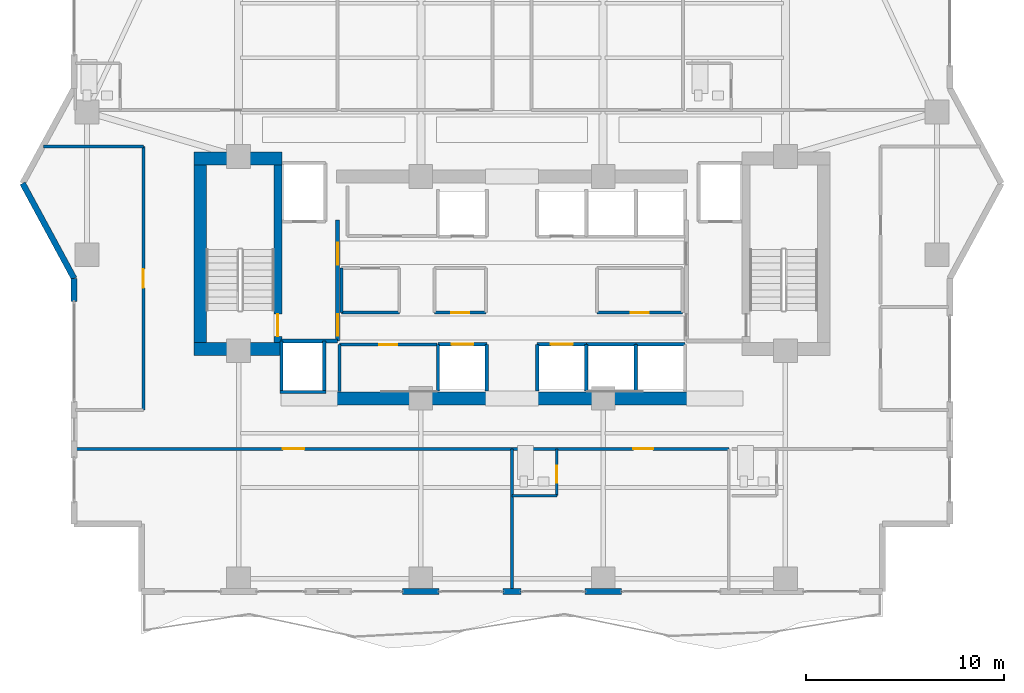
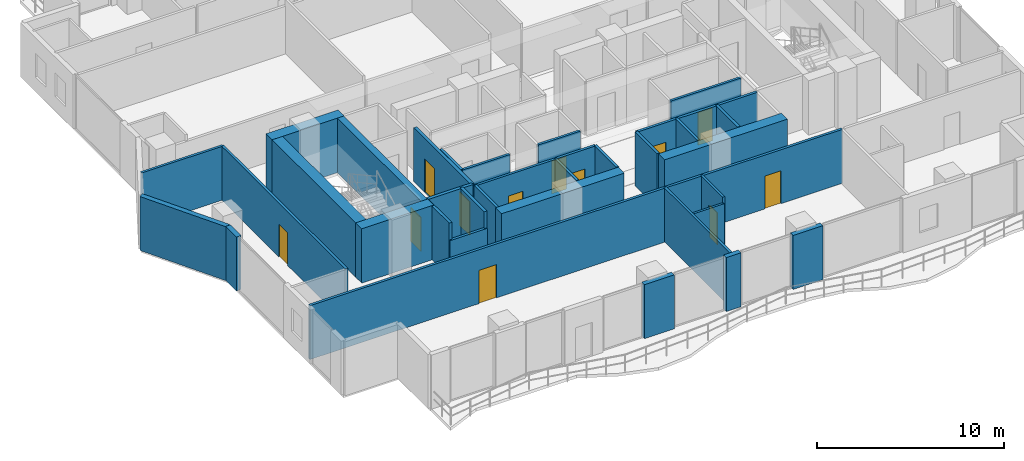
# One storey, part 25 of 33: 38 walls, 12 doors, 12 openings.
"""IFC4 building model written with IfcOpenShell, lengths in metres."""

from ifc_helpers import new_model, si_unit, direction, frame, frame_2d, origin, place, context, subcontext, project, spatial, rectangle, extrude, material, layer, layer_set, type_object, element, fill, save


model = new_model("IFC4")

# Units and contexts
model_context = context("Model", 3, precision=1e-05, world=origin(), true_north=direction((0.0, 1.0)))
body_context = subcontext(model_context, "Body", "Model", "MODEL_VIEW")
ifc_project = project(units=[si_unit("LENGTHUNIT", "METRE"), si_unit("AREAUNIT", "SQUARE_METRE"), si_unit("VOLUMEUNIT", "CUBIC_METRE"), si_unit("PLANEANGLEUNIT", "RADIAN"), si_unit("MASSUNIT", "GRAM", prefix="KILO")], contexts=[model_context])

# Site, building, storey
site_placement = place(None, origin())
site = spatial("IfcSite", under=ifc_project, at=site_placement, CompositionType="ELEMENT")
building_placement = place(site_placement, origin())
building = spatial("IfcBuilding", under=site, at=building_placement, Name="Zuhayl Quay Hotel", CompositionType="ELEMENT")
storey_placement = place(building_placement, frame((0.0, 0.0, 211.14990234375)))
storey = spatial("IfcBuildingStorey", under=building, at=storey_placement, Name="L53", CompositionType="ELEMENT", Elevation=211.14990234375)

# Walls
ifc_material_1 = material(Name="Concrete C50/60", Category="concrete")
ifc_layer_1 = layer(ifc_material_1, 0.64990234375, Name="Concrete C50/60", Category="concrete")
ifc_layer_set_1 = layer_set([ifc_layer_1], Name="Concrete C50/60")
wall_type_1 = type_object("IfcWallType", Name="WL_CORE_650", PredefinedType="SHEAR", material=ifc_layer_set_1)
wall_1_placement = place(storey_placement, frame((-16.06005859375, 14.2548828125, 0.0), z_axis=(0.0, 0.0, 1.0), x_axis=(1.0, 0.0, 0.0)))
element("IfcWall", 1, at=wall_1_placement, inside=storey, type_object=wall_type_1, Name="L53 Core Shear Wall CW_NW", PredefinedType="SHEAR", context=body_context, shape_type="SweptSolid", body=[
    extrude(rectangle(XDim=4.4599609375, YDim=0.64990234375, at=frame_2d((2.22998046875, 0.0))), origin(), (0.0, 0.0, 1.0), 3.56005859375),
])
wall_2_placement = place(storey_placement, frame((-15.735107421875, 4.969970703125, 0.0), z_axis=(0.0, 0.0, 1.0), x_axis=(0.0, 1.0, 0.0)))
element("IfcWall", 2, at=wall_2_placement, inside=storey, type_object=wall_type_1, Name="L53 Core Shear Wall CW_W", PredefinedType="SHEAR", context=body_context, shape_type="SweptSolid", body=[
    extrude(rectangle(XDim=8.9599609375, YDim=0.64990234375, at=frame_2d((4.47998046875, 0.0))), origin(), (0.0, 0.0, 1.0), 3.56005859375),
])
wall_3_placement = place(storey_placement, frame((-16.06005859375, 4.64501953125, 0.0), z_axis=(0.0, 0.0, 1.0), x_axis=(1.0, 0.0, 0.0)))
element("IfcWall", 3, at=wall_3_placement, inside=storey, type_object=wall_type_1, Name="L53 Core Shear Wall CW_SW", PredefinedType="SHEAR", context=body_context, shape_type="SweptSolid", body=[
    extrude(rectangle(XDim=4.4599609375, YDim=0.64990234375, at=frame_2d((2.22998046875, 0.0))), origin(), (0.0, 0.0, 1.0), 3.56005859375),
])
for number, where, z_axis, x_axis, name in (
    (4, (-8.85009765625, 2.14990234375, 0.0), (0.0, 0.0, 1.0), (1.0, 0.0, 0.0), "L53 Core Shear Wall CW_SC_W"),
    (5, (1.25, 2.14990234375, 0.0), (0.0, 0.0, 1.0), (1.0, 0.0, 0.0), "L53 Core Shear Wall CW_SC_E"),
):
    element("IfcWall", number, at=place(storey_placement, frame(where, z_axis=z_axis, x_axis=x_axis)), inside=storey, type_object=wall_type_1, Name=name, PredefinedType="SHEAR", context=body_context, shape_type="SweptSolid", body=[
        extrude(rectangle(XDim=7.60009765625, YDim=0.64990234375, at=frame_2d((3.800048828125, 0.0))), origin(), (0.0, 0.0, 1.0), 3.530029296875),
    ])
ifc_material_2 = material(Name="Precast concrete C45/55", Category="concrete")
ifc_layer_2 = layer(ifc_material_2, 0.300048828125, Name="Precast concrete C45/55", Category="concrete")
ifc_layer_set_2 = layer_set([ifc_layer_2], Name="Precast concrete C45/55")
wall_type_2 = type_object("IfcWallType", Name="WL_EXT_300", PredefinedType="STANDARD", material=ifc_layer_set_2)
wall_4_placement = place(storey_placement, frame((-22.10009765625, 7.050048828125, 0.0), z_axis=(0.0, 0.0, 1.0), x_axis=(0.0, 1.0, 0.0)))
element("IfcWall", 6, at=wall_4_placement, inside=storey, type_object=wall_type_2, Name="L53 Exterior Precast Wall ENV_L53_E02_EW3", PredefinedType="STANDARD", context=body_context, shape_type="SweptSolid", body=[
    extrude(rectangle(XDim=1.14990234375, YDim=0.300048828125, at=frame_2d((0.574951171875, 0.0))), origin(), (0.0, 0.0, 1.0), 3.530029296875),
])
wall_5_placement = place(storey_placement, frame((-22.10009765625, 8.199951171875, 0.0), z_axis=(0.0, 0.0, 1.0), x_axis=(-0.476258655584, 0.879305233114, 0.0)))
element("IfcWall", 7, at=wall_5_placement, inside=storey, type_object=wall_type_2, Name="L53 Exterior Precast Wall ENV_L53_EW03", PredefinedType="STANDARD", context=body_context, shape_type="SweptSolid", body=[
    extrude(rectangle(XDim=5.458984375, YDim=0.300048828125, at=frame_2d((2.7294921875, 0.0))), origin(), (0.0, 0.0, 1.0), 3.530029296875),
])
wall_6_placement = place(storey_placement, frame((5.52001953125, -7.60009765625, 0.0), z_axis=(0.0, 0.0, 1.0), x_axis=(-1.0, 0.0, 0.0)))
element("IfcWall", 8, at=wall_6_placement, inside=storey, type_object=wall_type_2, Name="L53 Exterior Precast Wall ENV_L53_S_EW3", PredefinedType="STANDARD", context=body_context, shape_type="SweptSolid", body=[
    extrude(rectangle(XDim=1.840087890625, YDim=0.300048828125, at=frame_2d((0.919921875, 0.0))), origin(), (0.0, 0.0, 1.0), 3.530029296875),
])
wall_7_placement = place(storey_placement, frame((0.449951171875, -7.60009765625, 0.0), z_axis=(0.0, 0.0, 1.0), x_axis=(-1.0, 0.0, 0.0)))
element("IfcWall", 9, at=wall_7_placement, inside=storey, type_object=wall_type_2, Name="L53 Exterior Precast Wall ENV_L53_S_EW4", PredefinedType="STANDARD", context=body_context, shape_type="SweptSolid", body=[
    extrude(rectangle(XDim=0.89990234375, YDim=0.300048828125, at=frame_2d((0.449951171875, 0.0))), origin(), (0.0, 0.0, 1.0), 3.530029296875),
])
wall_8_placement = place(storey_placement, frame((-3.679931640625, -7.60009765625, 0.0), z_axis=(0.0, 0.0, 1.0), x_axis=(-1.0, 0.0, 0.0)))
element("IfcWall", 10, at=wall_8_placement, inside=storey, type_object=wall_type_2, Name="L53 Exterior Precast Wall ENV_L53_S_EW5", PredefinedType="STANDARD", context=body_context, shape_type="SweptSolid", body=[
    extrude(rectangle(XDim=1.840087890625, YDim=0.300048828125, at=frame_2d((0.919921875, 0.0))), origin(), (0.0, 0.0, 1.0), 3.530029296875),
])

# Wall, opening, door
ifc_material_3 = material(Name="Acoustic Gypsum Partition STC-58")
ifc_layer_3 = layer(ifc_material_3, 0.14990234375, Name="Acoustic Gypsum Partition STC-58")
ifc_layer_set_3 = layer_set([ifc_layer_3], Name="Acoustic Gypsum Partition STC-58")
wall_type_3 = type_object("IfcWallType", Name="WL_PART_150", PredefinedType="PARTITIONING", material=ifc_layer_set_3)
wall_9_placement = place(storey_placement, frame((-8.7099609375, 4.860107421875, 0.0), z_axis=(0.0, 0.0, 1.0), x_axis=(1.0, 0.0, 0.0)))
wall_9 = element("IfcWall", 11, at=wall_9_placement, inside=storey, type_object=wall_type_3, Name="L53 Partition IW_L53_FLP_S_N", PredefinedType="PARTITIONING", context=body_context, shape_type="SweptSolid", body=[
    extrude(rectangle(XDim=4.919921875, YDim=0.14990234375, at=frame_2d((2.4599609375, 0.0))), origin(), (0.0, 0.0, 1.0), 3.530029296875),
])
opening_1_placement = place(wall_9_placement, frame((2.010009765625, 0.0, 0.0)))
opening_1 = element("IfcOpeningElement", 12, at=opening_1_placement, cuts=wall_9, Name="Opening D06", PredefinedType="OPENING", context=body_context, shape_type="SweptSolid", body=[
    extrude(rectangle(XDim=0.89990234375, YDim=2.14990234375, at=frame_2d((0.449951171875, 1.074951171875))), frame((0.0, 0.0849609375, 0.0), z_axis=(0.0, -1.0, 0.0), x_axis=(1.0, 0.0, 0.0)), (0.0, 0.0, 1.0), 0.169921875),
])
ifc_material_4 = material(Name="Steel ASTM A992 Grade 50", Category="steel")
door_type_1 = type_object("IfcDoorType", Name="DR_INT_900", OperationType="NOTDEFINED", PredefinedType="DOOR", material=ifc_material_4)
door_1_placement = place(opening_1_placement, origin())
door_1 = element("IfcDoor", 13, at=door_1_placement, inside=storey, type_object=door_type_1, Name="L53 Executive Servery Door", OperationType="SINGLE_SWING_LEFT", OverallHeight=2.14990234375, OverallWidth=0.89990234375, PredefinedType="DOOR", context=body_context, shape_type="SweptSolid", body=[
    extrude(rectangle(XDim=0.89990234375, YDim=2.14990234375, at=frame_2d((0.449951171875, 1.074951171875))), frame((0.0, 0.02490234375, 0.0), z_axis=(0.0, -1.0, 0.0), x_axis=(1.0, 0.0, 0.0)), (0.0, 0.0, 1.0), 0.050048828125),
])
fill(opening_1, door_1)

wall_10_placement = place(storey_placement, frame((-3.909912109375, 6.47998046875, 0.0), z_axis=(0.0, 0.0, 1.0), x_axis=(1.0, 0.0, 0.0)))
wall_10 = element("IfcWall", 14, at=wall_10_placement, inside=storey, type_object=wall_type_3, Name="L53 Partition IW_L53_CORE_BC_S", PredefinedType="PARTITIONING", context=body_context, shape_type="SweptSolid", body=[
    extrude(rectangle(XDim=2.58984375, YDim=0.14990234375, at=frame_2d((1.294921875, 0.0))), origin(), (0.0, 0.0, 1.0), 3.530029296875),
])
opening_2_placement = place(wall_10_placement, frame((0.844970703125, 0.0, 0.0)))
opening_2 = element("IfcOpeningElement", 15, at=opening_2_placement, cuts=wall_10, Name="Opening D06", PredefinedType="OPENING", context=body_context, shape_type="SweptSolid", body=[
    extrude(rectangle(XDim=0.89990234375, YDim=2.14990234375, at=frame_2d((0.449951171875, 1.074951171875))), frame((0.0, 0.0849609375, 0.0), z_axis=(0.0, -1.0, 0.0), x_axis=(1.0, 0.0, 0.0)), (0.0, 0.0, 1.0), 0.169921875),
])
door_2_placement = place(opening_2_placement, origin())
door_2 = element("IfcDoor", 16, at=door_2_placement, inside=storey, type_object=door_type_1, Name="L53 BMS Control Closet Door", OperationType="SINGLE_SWING_RIGHT", OverallHeight=2.14990234375, OverallWidth=0.89990234375, PredefinedType="DOOR", context=body_context, shape_type="SweptSolid", body=[
    extrude(rectangle(XDim=0.89990234375, YDim=2.14990234375, at=frame_2d((0.449951171875, 1.074951171875))), frame((0.0, 0.02490234375, 0.0), z_axis=(0.0, -1.0, 0.0), x_axis=(1.0, 0.0, 0.0)), (0.0, 0.0, 1.0), 0.050048828125),
])
fill(opening_2, door_2)

wall_11_placement = place(storey_placement, frame((4.2900390625, 6.47998046875, 0.0), z_axis=(0.0, 0.0, 1.0), x_axis=(1.0, 0.0, 0.0)))
wall_11 = element("IfcWall", 17, at=wall_11_placement, inside=storey, type_object=wall_type_3, Name="L53 Partition IW_L53_CORE_VL_S", PredefinedType="PARTITIONING", context=body_context, shape_type="SweptSolid", body=[
    extrude(rectangle(XDim=4.320068359375, YDim=0.14990234375, at=frame_2d((2.16015625, 0.0))), origin(), (0.0, 0.0, 1.0), 3.530029296875),
])
opening_3_placement = place(wall_11_placement, frame((1.7099609375, 0.0, 0.0)))
opening_3 = element("IfcOpeningElement", 18, at=opening_3_placement, cuts=wall_11, Name="Opening D06", PredefinedType="OPENING", context=body_context, shape_type="SweptSolid", body=[
    extrude(rectangle(XDim=0.89990234375, YDim=2.14990234375, at=frame_2d((0.449951171875, 1.074951171875))), frame((0.0, 0.0849609375, 0.0), z_axis=(0.0, -1.0, 0.0), x_axis=(1.0, 0.0, 0.0)), (0.0, 0.0, 1.0), 0.169921875),
])
door_3_placement = place(opening_3_placement, origin())
door_3 = element("IfcDoor", 19, at=door_3_placement, inside=storey, type_object=door_type_1, Name="L53 Floor Valet Store Door", OperationType="SINGLE_SWING_LEFT", OverallHeight=2.14990234375, OverallWidth=0.89990234375, PredefinedType="DOOR", context=body_context, shape_type="SweptSolid", body=[
    extrude(rectangle(XDim=0.89990234375, YDim=2.14990234375, at=frame_2d((0.449951171875, 1.074951171875))), frame((0.0, 0.02490234375, 0.0), z_axis=(0.0, -1.0, 0.0), x_axis=(1.0, 0.0, 0.0)), (0.0, 0.0, 1.0), 0.050048828125),
])
fill(opening_3, door_3)

# Walls
wall_12_placement = place(storey_placement, frame((-8.7099609375, 2.489990234375, 0.0), z_axis=(0.0, 0.0, 1.0), x_axis=(0.0, 1.0, 0.0)))
element("IfcWall", 20, at=wall_12_placement, inside=storey, type_object=wall_type_3, Name="L53 Partition IW_L53_FLP_S_W", PredefinedType="PARTITIONING", context=body_context, shape_type="SweptSolid", body=[
    extrude(rectangle(XDim=2.3701171875, YDim=0.14990234375, at=frame_2d((1.18505859375, 0.0))), origin(), (0.0, 0.0, 1.0), 3.530029296875),
])
wall_13_placement = place(storey_placement, frame((-8.610107421875, 6.47998046875, 0.0), z_axis=(0.0, 0.0, 1.0), x_axis=(1.0, 0.0, 0.0)))
element("IfcWall", 21, at=wall_13_placement, inside=storey, type_object=wall_type_3, Name="L53 Partition IW_L53_CORE_HK_S", PredefinedType="PARTITIONING", context=body_context, shape_type="SweptSolid", body=[
    extrude(rectangle(XDim=2.920166015625, YDim=0.14990234375, at=frame_2d((1.4599609375, 0.0))), origin(), (0.0, 0.0, 1.0), 3.530029296875),
])
wall_14_placement = place(storey_placement, frame((-8.610107421875, 6.47998046875, 0.0), z_axis=(0.0, 0.0, 1.0), x_axis=(0.0, 1.0, 0.0)))
element("IfcWall", 22, at=wall_14_placement, inside=storey, type_object=wall_type_3, Name="L53 Partition IW_L53_CORE_HK_W", PredefinedType="PARTITIONING", context=body_context, shape_type="SweptSolid", body=[
    extrude(rectangle(XDim=2.239990234375, YDim=0.14990234375, at=frame_2d((1.1201171875, 0.0))), origin(), (0.0, 0.0, 1.0), 3.530029296875),
])
wall_15_placement = place(storey_placement, frame((0.0, -7.5400390625, 0.0), z_axis=(0.0, 0.0, 1.0), x_axis=(0.0, 1.0, 0.0)))
element("IfcWall", 23, at=wall_15_placement, inside=storey, type_object=wall_type_3, Name="L53 Partition IW_L53_SSAL_0_E", PredefinedType="PARTITIONING", context=body_context, shape_type="SweptSolid", body=[
    extrude(rectangle(XDim=7.14013671875, YDim=0.14990234375, at=frame_2d((3.570068359375, 0.0))), origin(), (0.0, 0.0, 1.0), 3.530029296875),
])
wall_16_placement = place(storey_placement, frame((-23.637939453125, 14.85009765625, 0.0), z_axis=(0.0, 0.0, 1.0), x_axis=(1.0, 0.0, 0.0)))
element("IfcWall", 24, at=wall_16_placement, inside=storey, type_object=wall_type_3, Name="L53 Partition IW_L53_WPROW_1_N", PredefinedType="PARTITIONING", context=body_context, shape_type="SweptSolid", body=[
    extrude(rectangle(XDim=5.037841796875, YDim=0.14990234375, at=frame_2d((2.51904296875, 0.0))), origin(), (0.0, 0.0, 1.0), 3.530029296875),
])

# Wall, opening, door
ifc_layer_4 = layer(ifc_material_3, 0.159912109375, Name="Acoustic Gypsum Partition STC-58")
ifc_layer_set_4 = layer_set([ifc_layer_4], Name="Acoustic Gypsum Partition STC-58")
wall_type_4 = type_object("IfcWallType", Name="WL_PART_CORR_160", PredefinedType="PARTITIONING", material=ifc_layer_set_4)
wall_17_placement = place(storey_placement, frame((-22.0400390625, -0.39990234375, 0.0), z_axis=(0.0, 0.0, 1.0), x_axis=(1.0, 0.0, 0.0)))
wall_17 = element("IfcWall", 25, at=wall_17_placement, inside=storey, type_object=wall_type_4, Name="L53 Partition IW_L53_SSAL_0_N", PredefinedType="PARTITIONING", context=body_context, shape_type="SweptSolid", body=[
    extrude(rectangle(XDim=22.0400390625, YDim=0.159912109375, at=frame_2d((11.02001953125, 0.0))), origin(), (0.0, 0.0, 1.0), 3.530029296875),
])
opening_4_placement = place(wall_17_placement, frame((10.47998046875, 0.0, 0.0)))
opening_4 = element("IfcOpeningElement", 26, at=opening_4_placement, cuts=wall_17, Name="Opening D05A", PredefinedType="OPENING", context=body_context, shape_type="SweptSolid", body=[
    extrude(rectangle(XDim=1.080078125, YDim=2.179931640625, at=frame_2d((0.5400390625, 1.08984375))), frame((0.0, 0.08984375, 0.0), z_axis=(0.0, -1.0, 0.0), x_axis=(1.0, 0.0, 0.0)), (0.0, 0.0, 1.0), 0.179931640625),
])
ifc_material_5 = material(Name="Solid Walnut Acoustic Fire Door")
door_type_2 = type_object("IfcDoorType", Name="DR_INT_1100", OperationType="NOTDEFINED", PredefinedType="DOOR", material=ifc_material_5)
door_4_placement = place(opening_4_placement, origin())
door_4 = element("IfcDoor", 27, at=door_4_placement, inside=storey, type_object=door_type_2, Name="L53 South Sunset Salon L53 Door", OperationType="SINGLE_SWING_RIGHT", OverallHeight=2.179931640625, OverallWidth=1.080078125, PredefinedType="DOOR", context=body_context, shape_type="SweptSolid", body=[
    extrude(rectangle(XDim=1.080078125, YDim=2.179931640625, at=frame_2d((0.5400390625, 1.08984375))), frame((0.0, 0.02490234375, 0.0), z_axis=(0.0, -1.0, 0.0), x_axis=(1.0, 0.0, 0.0)), (0.0, 0.0, 1.0), 0.050048828125),
])
fill(opening_4, door_4)

wall_18_placement = place(storey_placement, frame((0.0, -0.39990234375, 0.0), z_axis=(0.0, 0.0, 1.0), x_axis=(1.0, 0.0, 0.0)))
wall_18 = element("IfcWall", 28, at=wall_18_placement, inside=storey, type_object=wall_type_4, Name="L53 Partition IW_L53_SU02A_COR", PredefinedType="PARTITIONING", context=body_context, shape_type="SweptSolid", body=[
    extrude(rectangle(XDim=10.93994140625, YDim=0.159912109375, at=frame_2d((5.469970703125, 0.0))), origin(), (0.0, 0.0, 1.0), 3.530029296875),
])
opening_5_placement = place(wall_18_placement, frame((6.1201171875, 0.0, 0.0)))
opening_5 = element("IfcOpeningElement", 29, at=opening_5_placement, cuts=wall_18, Name="Opening D03L", PredefinedType="OPENING", context=body_context, shape_type="SweptSolid", body=[
    extrude(rectangle(XDim=1.0, YDim=2.14990234375, at=frame_2d((0.5, 1.074951171875))), frame((0.0, 0.08984375, 0.0), z_axis=(0.0, -1.0, 0.0), x_axis=(1.0, 0.0, 0.0)), (0.0, 0.0, 1.0), 0.179931640625),
])
door_type_3 = type_object("IfcDoorType", Name="DR_SUITE_1000", OperationType="NOTDEFINED", PredefinedType="DOOR", material=ifc_material_5)
door_5_placement = place(opening_5_placement, origin())
door_5 = element("IfcDoor", 30, at=door_5_placement, inside=storey, type_object=door_type_3, Name="L53 City-View Junior Suite L53-02A Entrance Door", OperationType="SINGLE_SWING_RIGHT", OverallHeight=2.14990234375, OverallWidth=1.0, PredefinedType="DOOR", context=body_context, shape_type="SweptSolid", body=[
    extrude(rectangle(XDim=1.0, YDim=2.14990234375, at=frame_2d((0.5, 1.074951171875))), frame((0.0, 0.02490234375, 0.0), z_axis=(0.0, -1.0, 0.0), x_axis=(1.0, 0.0, 0.0)), (0.0, 0.0, 1.0), 0.050048828125),
])
fill(opening_5, door_5)

wall_19_placement = place(storey_placement, frame((-18.60009765625, 1.550048828125, 0.0), z_axis=(0.0, 0.0, 1.0), x_axis=(0.0, 1.0, 0.0)))
wall_19 = element("IfcWall", 31, at=wall_19_placement, inside=storey, type_object=wall_type_4, Name="L53 Partition IW_L53_WPROW_1_E", PredefinedType="PARTITIONING", context=body_context, shape_type="SweptSolid", body=[
    extrude(rectangle(XDim=13.300048828125, YDim=0.159912109375, at=frame_2d((6.64990234375, 0.0))), origin(), (0.0, 0.0, 1.0), 3.530029296875),
])
opening_6_placement = place(wall_19_placement, frame((6.175048828125, 0.0, 0.0)))
opening_6 = element("IfcOpeningElement", 32, at=opening_6_placement, cuts=wall_19, Name="Opening D03", PredefinedType="OPENING", context=body_context, shape_type="SweptSolid", body=[
    extrude(rectangle(XDim=0.949951171875, YDim=2.14990234375, at=frame_2d((0.47509765625, 1.074951171875))), frame((0.0, 0.08984375, 0.0), z_axis=(0.0, -1.0, 0.0), x_axis=(1.0, 0.0, 0.0)), (0.0, 0.0, 1.0), 0.179931640625),
])
door_type_4 = type_object("IfcDoorType", Name="DR_SUITE_950", OperationType="NOTDEFINED", PredefinedType="DOOR", material=ifc_material_5)
door_6_placement = place(opening_6_placement, origin())
door_6 = element("IfcDoor", 33, at=door_6_placement, inside=storey, type_object=door_type_4, Name="L53 West Prow Panoramic Salon L53 Door", OperationType="SINGLE_SWING_LEFT", OverallHeight=2.14990234375, OverallWidth=0.949951171875, PredefinedType="DOOR", context=body_context, shape_type="SweptSolid", body=[
    extrude(rectangle(XDim=0.949951171875, YDim=2.14990234375, at=frame_2d((0.47509765625, 1.074951171875))), frame((0.0, 0.02490234375, 0.0), z_axis=(0.0, -1.0, 0.0), x_axis=(1.0, 0.0, 0.0)), (0.0, 0.0, 1.0), 0.050048828125),
])
fill(opening_6, door_6)

ifc_material_6 = material(Name="Moisture-Resistant Sanitarychase Gypsum")
ifc_layer_5 = layer(ifc_material_6, 0.135009765625, Name="Moisture-Resistant Sanitarychase Gypsum")
ifc_layer_set_5 = layer_set([ifc_layer_5], Name="Moisture-Resistant Sanitarychase Gypsum")
wall_type_5 = type_object("IfcWallType", Name="WL_PART_PLUMB_150", PredefinedType="PLUMBINGWALL", material=ifc_layer_set_5)
wall_20_placement = place(storey_placement, frame((2.260009765625, -2.760009765625, 0.0), z_axis=(0.0, 0.0, 1.0), x_axis=(0.0, 1.0, 0.0)))
wall_20 = element("IfcWall", 34, at=wall_20_placement, inside=storey, type_object=wall_type_5, Name="L53 Partition IW_L53_SU02A_BE", PredefinedType="PLUMBINGWALL", context=body_context, shape_type="SweptSolid", body=[
    extrude(rectangle(XDim=2.360107421875, YDim=0.135009765625, at=frame_2d((1.18017578125, 0.0))), origin(), (0.0, 0.0, 1.0), 3.530029296875),
])
opening_7_placement = place(wall_20_placement, frame((0.64990234375, 0.0, 0.0)))
opening_7 = element("IfcOpeningElement", 35, at=opening_7_placement, cuts=wall_20, Name="Opening D04", PredefinedType="OPENING", context=body_context, shape_type="SweptSolid", body=[
    extrude(rectangle(XDim=0.85009765625, YDim=2.10009765625, at=frame_2d((0.425048828125, 1.050048828125))), frame((0.0, 0.077392578125, 0.0), z_axis=(0.0, -1.0, 0.0), x_axis=(1.0, 0.0, 0.0)), (0.0, 0.0, 1.0), 0.155029296875),
])
ifc_material_7 = material(Name="Moisture-Resistant Walnut Veneer")
door_type_5 = type_object("IfcDoorType", Name="DR_BATH_850", OperationType="NOTDEFINED", PredefinedType="DOOR", material=ifc_material_7)
door_7_placement = place(opening_7_placement, origin())
door_7 = element("IfcDoor", 36, at=door_7_placement, inside=storey, type_object=door_type_5, Name="L53 City-View Junior Suite L53-02A En-Suite Door", OperationType="SINGLE_SWING_LEFT", OverallHeight=2.10009765625, OverallWidth=0.85009765625, PredefinedType="DOOR", context=body_context, shape_type="SweptSolid", body=[
    extrude(rectangle(XDim=0.85009765625, YDim=2.10009765625, at=frame_2d((0.425048828125, 1.050048828125))), frame((0.0, 0.02490234375, 0.0), z_axis=(0.0, -1.0, 0.0), x_axis=(1.0, 0.0, 0.0)), (0.0, 0.0, 1.0), 0.050048828125),
])
fill(opening_7, door_7)

# Wall
wall_21_placement = place(storey_placement, frame((0.0, -2.760009765625, 0.0), z_axis=(0.0, 0.0, 1.0), x_axis=(1.0, 0.0, 0.0)))
element("IfcWall", 37, at=wall_21_placement, inside=storey, type_object=wall_type_5, Name="L53 Partition IW_L53_SU02A_BS", PredefinedType="PLUMBINGWALL", context=body_context, shape_type="SweptSolid", body=[
    extrude(rectangle(XDim=2.260009765625, YDim=0.135009765625, at=frame_2d((1.1298828125, 0.0))), origin(), (0.0, 0.0, 1.0), 3.1240234375),
])

# Wall, opening, door
ifc_material_8 = material(Name="Gypsum Fireboard Assembly EI-90")
ifc_layer_6 = layer(ifc_material_8, 0.1650390625, Name="Gypsum Fireboard Assembly EI-90")
ifc_layer_set_6 = layer_set([ifc_layer_6], Name="Gypsum Fireboard Assembly EI-90")
wall_type_6 = type_object("IfcWallType", Name="WL_PART_SHAFT_160", PredefinedType="PARTITIONING", material=ifc_layer_set_6)
wall_22_placement = place(storey_placement, frame((-3.72998046875, 4.8798828125, 0.0), z_axis=(0.0, 0.0, 1.0), x_axis=(1.0, 0.0, 0.0)))
wall_22 = element("IfcWall", 38, at=wall_22_placement, inside=storey, type_object=wall_type_6, Name="L53 Partition IW_L53_SH_MP1_F", PredefinedType="PARTITIONING", context=body_context, shape_type="SweptSolid", body=[
    extrude(rectangle(XDim=2.4599609375, YDim=0.1650390625, at=frame_2d((1.22998046875, 0.0))), origin(), (0.0, 0.0, 1.0), 3.530029296875),
])
opening_8_placement = place(wall_22_placement, frame((0.679931640625, 0.0, 0.0)))
opening_8 = element("IfcOpeningElement", 39, at=opening_8_placement, cuts=wall_22, Name="Opening LD1", PredefinedType="OPENING", context=body_context, shape_type="SweptSolid", body=[
    extrude(rectangle(XDim=1.10009765625, YDim=2.25, at=frame_2d((0.550048828125, 1.125))), frame((0.0, 0.092529296875, 0.0), z_axis=(0.0, -1.0, 0.0), x_axis=(1.0, 0.0, 0.0)), (0.0, 0.0, 1.0), 0.18505859375),
])
ifc_material_9 = material(Name="Brushed Stainless Steel", Category="steel")
door_type_6 = type_object("IfcDoorType", Name="DR_LIFT_PASS_1100", OperationType="SLIDING_TO_LEFT", PredefinedType="DOOR", material=ifc_material_9)
door_8_placement = place(opening_8_placement, origin())
door_8 = element("IfcDoor", 40, at=door_8_placement, inside=storey, type_object=door_type_6, Name="L53 Lift MP1 Sliding Landing Door", OperationType="SLIDING_TO_LEFT", OverallHeight=2.25, OverallWidth=1.10009765625, PredefinedType="DOOR", context=body_context, shape_type="SweptSolid", body=[
    extrude(rectangle(XDim=1.10009765625, YDim=2.25, at=frame_2d((0.550048828125, 1.125))), frame((0.0, 0.02490234375, 0.0), z_axis=(0.0, -1.0, 0.0), x_axis=(1.0, 0.0, 0.0)), (0.0, 0.0, 1.0), 0.050048828125),
])
fill(opening_8, door_8)

wall_23_placement = place(storey_placement, frame((1.27001953125, 4.8798828125, 0.0), z_axis=(0.0, 0.0, 1.0), x_axis=(1.0, 0.0, 0.0)))
wall_23 = element("IfcWall", 41, at=wall_23_placement, inside=storey, type_object=wall_type_6, Name="L53 Partition IW_L53_SH_MP2_F", PredefinedType="PARTITIONING", context=body_context, shape_type="SweptSolid", body=[
    extrude(rectangle(XDim=2.47998046875, YDim=0.1650390625, at=frame_2d((1.239990234375, 0.0))), origin(), (0.0, 0.0, 1.0), 3.530029296875),
])
opening_9_placement = place(wall_23_placement, frame((0.68994140625, 0.0, 0.0)))
opening_9 = element("IfcOpeningElement", 42, at=opening_9_placement, cuts=wall_23, Name="Opening LD1", PredefinedType="OPENING", context=body_context, shape_type="SweptSolid", body=[
    extrude(rectangle(XDim=1.10009765625, YDim=2.25, at=frame_2d((0.550048828125, 1.125))), frame((0.0, 0.092529296875, 0.0), z_axis=(0.0, -1.0, 0.0), x_axis=(1.0, 0.0, 0.0)), (0.0, 0.0, 1.0), 0.18505859375),
])
door_9_placement = place(opening_9_placement, origin())
door_9 = element("IfcDoor", 43, at=door_9_placement, inside=storey, type_object=door_type_6, Name="L53 Lift MP2 Sliding Landing Door", OperationType="SLIDING_TO_LEFT", OverallHeight=2.25, OverallWidth=1.10009765625, PredefinedType="DOOR", context=body_context, shape_type="SweptSolid", body=[
    extrude(rectangle(XDim=1.10009765625, YDim=2.25, at=frame_2d((0.550048828125, 1.125))), frame((0.0, 0.02490234375, 0.0), z_axis=(0.0, -1.0, 0.0), x_axis=(1.0, 0.0, 0.0)), (0.0, 0.0, 1.0), 0.050048828125),
])
fill(opening_9, door_9)

# Walls
for number, where, z_axis, x_axis, name in (
    (44, (-3.72998046875, 2.52001953125, 0.0), (0.0, 0.0, 1.0), (0.0, 1.0, 0.0), "L53 Partition IW_L53_SH_MP1_W"),
    (45, (-1.27001953125, 2.52001953125, 0.0), (0.0, 0.0, 1.0), (0.0, 1.0, 0.0), "L53 Partition IW_L53_SH_MP1_E"),
    (46, (1.27001953125, 2.52001953125, 0.0), (0.0, 0.0, 1.0), (0.0, 1.0, 0.0), "L53 Partition IW_L53_SH_MP2_W"),
    (47, (3.75, 2.52001953125, 0.0), (0.0, 0.0, 1.0), (0.0, 1.0, 0.0), "L53 Partition IW_L53_SH_MP2_E"),
):
    element("IfcWall", number, at=place(storey_placement, frame(where, z_axis=z_axis, x_axis=x_axis)), inside=storey, type_object=wall_type_6, Name=name, PredefinedType="PARTITIONING", context=body_context, shape_type="SweptSolid", body=[
        extrude(rectangle(XDim=2.35986328125, YDim=0.1650390625, at=frame_2d((1.179931640625, 0.0))), origin(), (0.0, 0.0, 1.0), 3.530029296875),
    ])
wall_24_placement = place(storey_placement, frame((3.75, 4.8798828125, 0.0), z_axis=(0.0, 0.0, 1.0), x_axis=(1.0, 0.0, 0.0)))
element("IfcWall", 48, at=wall_24_placement, inside=storey, type_object=wall_type_6, Name="L53 Partition IW_L53_SH_HP1_F", PredefinedType="PARTITIONING", context=body_context, shape_type="SweptSolid", body=[
    extrude(rectangle(XDim=2.5, YDim=0.1650390625, at=frame_2d((1.25, 0.0))), origin(), (0.0, 0.0, 1.0), 3.530029296875),
])
wall_25_placement = place(storey_placement, frame((6.25, 2.52001953125, 0.0), z_axis=(0.0, 0.0, 1.0), x_axis=(0.0, 1.0, 0.0)))
element("IfcWall", 49, at=wall_25_placement, inside=storey, type_object=wall_type_6, Name="L53 Partition IW_L53_SH_HP1_E", PredefinedType="PARTITIONING", context=body_context, shape_type="SweptSolid", body=[
    extrude(rectangle(XDim=2.35986328125, YDim=0.1650390625, at=frame_2d((1.179931640625, 0.0))), origin(), (0.0, 0.0, 1.0), 3.530029296875),
])
wall_26_placement = place(storey_placement, frame((6.25, 4.8798828125, 0.0), z_axis=(0.0, 0.0, 1.0), x_axis=(1.0, 0.0, 0.0)))
element("IfcWall", 50, at=wall_26_placement, inside=storey, type_object=wall_type_6, Name="L53 Partition IW_L53_SH_HP2_F", PredefinedType="PARTITIONING", context=body_context, shape_type="SweptSolid", body=[
    extrude(rectangle(XDim=2.47998046875, YDim=0.1650390625, at=frame_2d((1.239990234375, 0.0))), origin(), (0.0, 0.0, 1.0), 3.530029296875),
])
wall_27_placement = place(storey_placement, frame((-11.6298828125, 2.469970703125, 0.0), z_axis=(0.0, 0.0, 1.0), x_axis=(0.0, 1.0, 0.0)))
element("IfcWall", 51, at=wall_27_placement, inside=storey, type_object=wall_type_6, Name="L53 Partition IW_L53_RISER_W", PredefinedType="PARTITIONING", context=body_context, shape_type="SweptSolid", body=[
    extrude(rectangle(XDim=2.580078125, YDim=0.1650390625, at=frame_2d((1.2900390625, 0.0))), origin(), (0.0, 0.0, 1.0), 3.530029296875),
])
wall_28_placement = place(storey_placement, frame((-11.7099609375, 2.469970703125, 0.0), z_axis=(0.0, 0.0, 1.0), x_axis=(1.0, 0.0, 0.0)))
element("IfcWall", 52, at=wall_28_placement, inside=storey, type_object=wall_type_6, Name="L53 Partition IW_L53_RISER_S", PredefinedType="PARTITIONING", context=body_context, shape_type="SweptSolid", body=[
    extrude(rectangle(XDim=2.31005859375, YDim=0.1650390625, at=frame_2d((1.155029296875, 0.0))), origin(), (0.0, 0.0, 1.0), 2.43017578125),
])
ifc_layer_7 = layer(ifc_material_8, 0.179931640625, Name="Gypsum Fireboard Assembly EI-90")
ifc_layer_set_7 = layer_set([ifc_layer_7], Name="Gypsum Fireboard Assembly EI-90")
wall_type_7 = type_object("IfcWallType", Name="WL_PART_SHAFT_180", PredefinedType="PARTITIONING", material=ifc_layer_set_7)
wall_29_placement = place(storey_placement, frame((-9.469970703125, 2.449951171875, 0.0), z_axis=(0.0, 0.0, 1.0), x_axis=(0.0, 1.0, 0.0)))
element("IfcWall", 53, at=wall_29_placement, inside=storey, type_object=wall_type_7, Name="L53 Partition IW_L53_RISER_E", PredefinedType="PARTITIONING", context=body_context, shape_type="SweptSolid", body=[
    extrude(rectangle(XDim=2.60009765625, YDim=0.179931640625, at=frame_2d((1.300048828125, 0.0))), origin(), (0.0, 0.0, 1.0), 3.530029296875),
])

# Wall, openings, doors
ifc_material_10 = material(Name="Gypsum Fireboard Assembly EI-120")
ifc_layer_8 = layer(ifc_material_10, 0.199951171875, Name="Gypsum Fireboard Assembly EI-120")
ifc_layer_set_8 = layer_set([ifc_layer_8], Name="Gypsum Fireboard Assembly EI-120")
wall_type_8 = type_object("IfcWallType", Name="WL_PART_SHAFT_200", PredefinedType="PARTITIONING", material=ifc_layer_set_8)
wall_30_placement = place(storey_placement, frame((-8.800048828125, 5.050048828125, 0.0), z_axis=(0.0, 0.0, 1.0), x_axis=(0.0, 1.0, 0.0)))
wall_30 = element("IfcWall", 54, at=wall_30_placement, inside=storey, type_object=wall_type_8, Name="L53 Partition IW_L53_FSAE_W_E", PredefinedType="PARTITIONING", context=body_context, shape_type="SweptSolid", body=[
    extrude(rectangle(XDim=6.099853515625, YDim=0.199951171875, at=frame_2d((3.0498046875, 0.0))), origin(), (0.0, 0.0, 1.0), 3.530029296875),
])
opening_10_placement = place(wall_30_placement, frame((0.25, 0.0, 0.0)))
opening_10 = element("IfcOpeningElement", 55, at=opening_10_placement, cuts=wall_30, Name="Opening D02", PredefinedType="OPENING", context=body_context, shape_type="SweptSolid", body=[
    extrude(rectangle(XDim=1.10009765625, YDim=2.199951171875, at=frame_2d((0.550048828125, 1.10009765625))), frame((0.0, 0.10986328125, 0.0), z_axis=(0.0, -1.0, 0.0), x_axis=(1.0, 0.0, 0.0)), (0.0, 0.0, 1.0), 0.219970703125),
])
opening_11_placement = place(wall_30_placement, frame((3.85009765625, 0.0, 0.0)))
opening_11 = element("IfcOpeningElement", 56, at=opening_11_placement, cuts=wall_30, Name="Opening D02", PredefinedType="OPENING", context=body_context, shape_type="SweptSolid", body=[
    extrude(rectangle(XDim=1.10009765625, YDim=2.199951171875, at=frame_2d((0.550048828125, 1.10009765625))), frame((0.0, 0.10986328125, 0.0), z_axis=(0.0, -1.0, 0.0), x_axis=(1.0, 0.0, 0.0)), (0.0, 0.0, 1.0), 0.219970703125),
])
door_type_7 = type_object("IfcDoorType", Name="DR_FIRE_90_1100", OperationType="NOTDEFINED", PredefinedType="DOOR", material=ifc_material_4)
door_10_placement = place(opening_10_placement, origin())
door_10 = element("IfcDoor", 57, at=door_10_placement, inside=storey, type_object=door_type_7, Name="L53 FSAE Lobby West South Entry Door", OperationType="SINGLE_SWING_LEFT", OverallHeight=2.199951171875, OverallWidth=1.10009765625, PredefinedType="DOOR", context=body_context, shape_type="SweptSolid", body=[
    extrude(rectangle(XDim=1.10009765625, YDim=2.199951171875, at=frame_2d((0.550048828125, 1.10009765625))), frame((0.0, 0.02490234375, 0.0), z_axis=(0.0, -1.0, 0.0), x_axis=(1.0, 0.0, 0.0)), (0.0, 0.0, 1.0), 0.050048828125),
])
fill(opening_10, door_10)
door_11_placement = place(opening_11_placement, origin())
door_11 = element("IfcDoor", 58, at=door_11_placement, inside=storey, type_object=door_type_7, Name="L53 FSAE Lobby West North Entry Door", OperationType="SINGLE_SWING_RIGHT", OverallHeight=2.199951171875, OverallWidth=1.10009765625, PredefinedType="DOOR", context=body_context, shape_type="SweptSolid", body=[
    extrude(rectangle(XDim=1.10009765625, YDim=2.199951171875, at=frame_2d((0.550048828125, 1.10009765625))), frame((0.0, 0.02490234375, 0.0), z_axis=(0.0, -1.0, 0.0), x_axis=(1.0, 0.0, 0.0)), (0.0, 0.0, 1.0), 0.050048828125),
])
fill(opening_11, door_11)

# Wall
wall_31_placement = place(storey_placement, frame((-11.64990234375, 5.050048828125, 0.0), z_axis=(0.0, 0.0, 1.0), x_axis=(1.0, 0.0, 0.0)))
element("IfcWall", 59, at=wall_31_placement, inside=storey, type_object=wall_type_8, Name="L53 Partition IW_L53_FSAE_W_S", PredefinedType="PARTITIONING", context=body_context, shape_type="SweptSolid", body=[
    extrude(rectangle(XDim=2.849853515625, YDim=0.199951171875, at=frame_2d((1.4248046875, 0.0))), origin(), (0.0, 0.0, 1.0), 3.530029296875),
])

# Wall, opening, door
ifc_material_11 = material(Name="Concrete C60/75", Category="concrete")
ifc_layer_9 = layer(ifc_material_11, 0.39990234375, Name="Concrete C60/75", Category="concrete")
ifc_layer_set_9 = layer_set([ifc_layer_9], Name="Concrete C60/75")
wall_type_9 = type_object("IfcWallType", Name="WL_STAIR_400", PredefinedType="SHEAR", material=ifc_layer_set_9)
wall_32_placement = place(storey_placement, frame((-11.820068359375, 4.969970703125, 0.0), z_axis=(0.0, 0.0, 1.0), x_axis=(0.0, 1.0, 0.0)))
wall_32 = element("IfcWall", 60, at=wall_32_placement, inside=storey, type_object=wall_type_9, Name="L53 Core Shear Wall SW_ST1", PredefinedType="SHEAR", context=body_context, shape_type="SweptSolid", body=[
    extrude(rectangle(XDim=8.9599609375, YDim=0.39990234375, at=frame_2d((4.47998046875, 0.0))), origin(), (0.0, 0.0, 1.0), 3.56005859375),
])
opening_12_placement = place(wall_32_placement, frame((0.31005859375, 0.0, 0.0)))
opening_12 = element("IfcOpeningElement", 61, at=opening_12_placement, cuts=wall_32, Name="Opening D01", PredefinedType="OPENING", context=body_context, shape_type="SweptSolid", body=[
    extrude(rectangle(XDim=1.1201171875, YDim=2.219970703125, at=frame_2d((0.56005859375, 1.10986328125))), frame((0.0, 0.2099609375, 0.0), z_axis=(0.0, -1.0, 0.0), x_axis=(1.0, 0.0, 0.0)), (0.0, 0.0, 1.0), 0.419921875),
])
door_type_8 = type_object("IfcDoorType", Name="DR_STAIR_90_1100", OperationType="NOTDEFINED", PredefinedType="DOOR", material=ifc_material_4)
door_12_placement = place(opening_12_placement, origin())
door_12 = element("IfcDoor", 62, at=door_12_placement, inside=storey, type_object=door_type_8, Name="L53 Smokeproof Exit Stair ST1 Door", OperationType="SINGLE_SWING_LEFT", OverallHeight=2.219970703125, OverallWidth=1.1201171875, PredefinedType="DOOR", context=body_context, shape_type="SweptSolid", body=[
    extrude(rectangle(XDim=1.1201171875, YDim=2.219970703125, at=frame_2d((0.56005859375, 1.10986328125))), frame((0.0, 0.02490234375, 0.0), z_axis=(0.0, -1.0, 0.0), x_axis=(1.0, 0.0, 0.0)), (0.0, 0.0, 1.0), 0.050048828125),
])
fill(opening_12, door_12)

save(model, "model.ifc")
